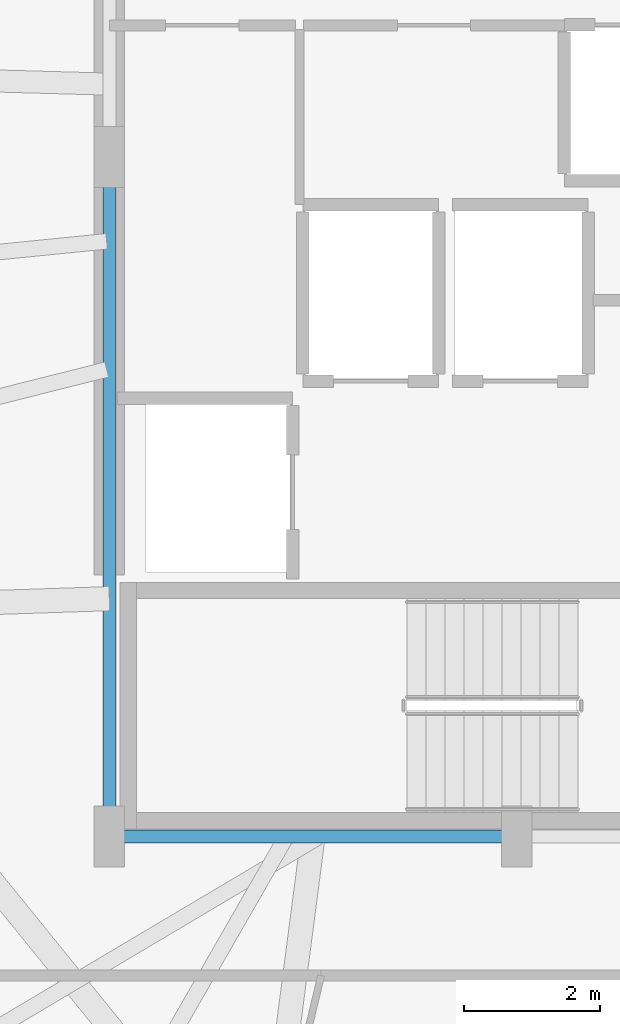
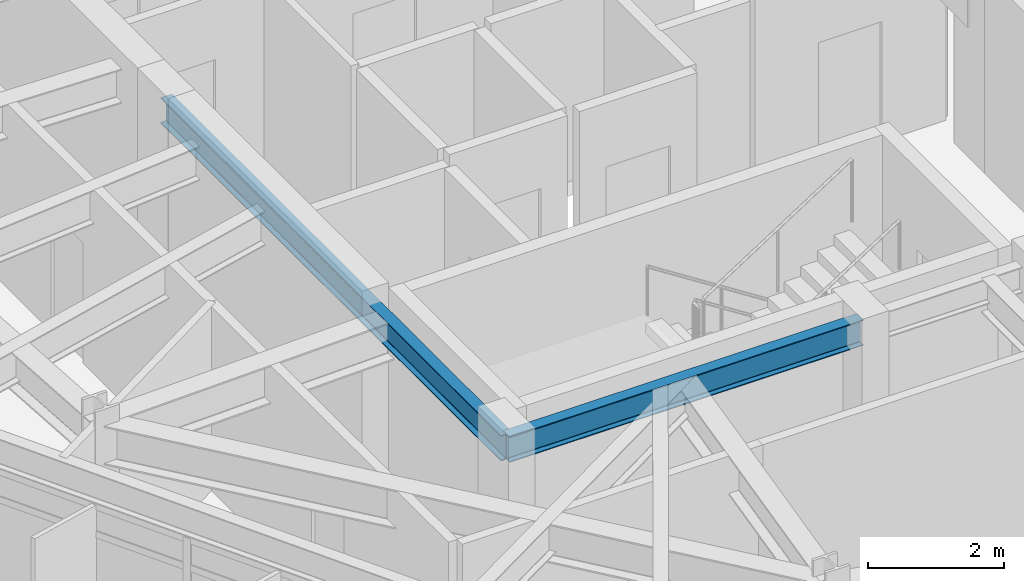
# One storey, part 4 of 28: 2 beams.
"""IFC4 building model written with IfcOpenShell, lengths in metres."""

from ifc_helpers import new_model, si_unit, direction, frame, origin, origin_2d, place, context, subcontext, project, spatial, i_section, extrude, material, material_profile, profile_set, type_object, element, save


model = new_model("IFC4")

# Units and contexts
model_context = context("Model", 3, precision=1e-05, world=origin(), true_north=direction((0.0, 1.0)))
body_context = subcontext(model_context, "Body", "Model", "MODEL_VIEW")
ifc_project = project(units=[si_unit("LENGTHUNIT", "METRE"), si_unit("AREAUNIT", "SQUARE_METRE"), si_unit("VOLUMEUNIT", "CUBIC_METRE"), si_unit("PLANEANGLEUNIT", "RADIAN"), si_unit("MASSUNIT", "GRAM", prefix="KILO")], contexts=[model_context])

# Site, building, storey
site_placement = place(None, origin())
site = spatial("IfcSite", under=ifc_project, at=site_placement, CompositionType="ELEMENT")
building_placement = place(site_placement, origin())
building = spatial("IfcBuilding", under=site, at=building_placement, Name="Soratama Intermodal Tower", CompositionType="ELEMENT")
storey_placement = place(building_placement, frame((0.0, 0.0, 201.39990234375)))
storey = spatial("IfcBuildingStorey", under=building, at=storey_placement, Name="L50", CompositionType="ELEMENT", Elevation=201.39990234375)

# Beams
ifc_material = material(Name="Structural steel ASTM A992 Grade 50", Category="steel")
ifc_material_profile = material_profile(ifc_material, i_section(OverallWidth=0.19091796875, OverallDepth=0.4599609375, WebThickness=0.010009765625, FlangeThickness=0.01611328125, FilletRadius=0.010986328125, at=origin_2d()), Name="W18X55")
ifc_profile_set = profile_set([ifc_material_profile], Name="Structural steel ASTM A992 Grade 50")
beam_type = type_object("IfcBeamType", Name="BM-FLR-W18X55", PredefinedType="BEAM", material=ifc_profile_set)
beam_1_placement = place(storey_placement, frame((32.60009765625, 15.0, 3.070068359375), z_axis=(1.0, 0.0, 0.0), x_axis=(0.0, 1.0, 0.0)))
element("IfcBeam", 1, at=beam_1_placement, inside=storey, type_object=beam_type, Name="BM-L50-CRING-01", PredefinedType="BEAM", context=body_context, shape_type="SweptSolid", body=[
    extrude(i_section(OverallWidth=0.19091796875, OverallDepth=0.4599609375, WebThickness=0.010009765625, FlangeThickness=0.01611328125, FilletRadius=0.010986328125, at=origin_2d()), origin(), (0.0, 0.0, 1.0), 6.0),
])
beam_2_placement = place(storey_placement, frame((32.60009765625, 25.0, 3.070068359375), z_axis=(0.0, -1.0, 0.0), x_axis=(1.0, 0.0, 0.0)))
element("IfcBeam", 2, at=beam_2_placement, inside=storey, type_object=beam_type, Name="BM-L50-CRING-09", PredefinedType="BEAM", context=body_context, shape_type="SweptSolid", body=[
    extrude(i_section(OverallWidth=0.19091796875, OverallDepth=0.4599609375, WebThickness=0.010009765625, FlangeThickness=0.01611328125, FilletRadius=0.010986328125, at=origin_2d()), origin(), (0.0, 0.0, 1.0), 10.0),
])

save(model, "model.ifc")
